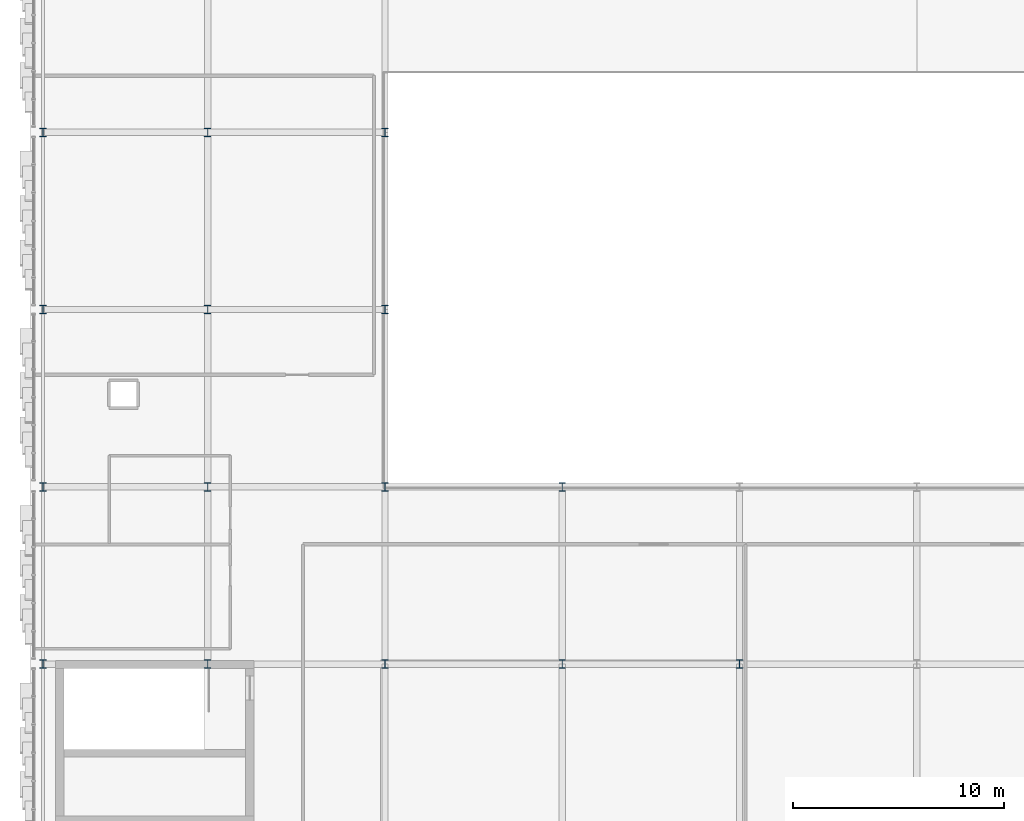
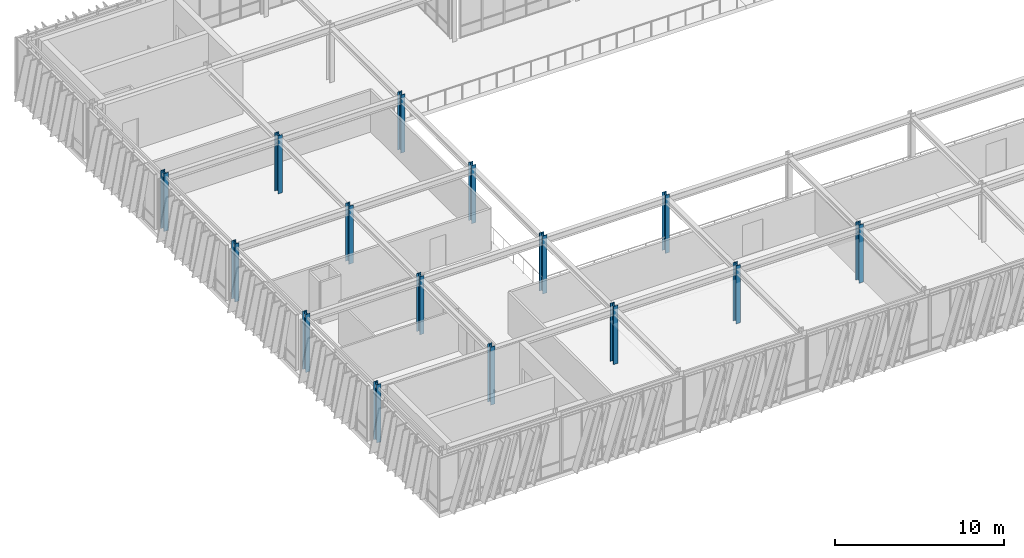
# One storey, part 7 of 123: 15 columns.
"""IFC4 building model written with IfcOpenShell, lengths in metres."""

from ifc_helpers import new_model, si_unit, direction, frame, origin, origin_2d, place, context, subcontext, project, spatial, i_section, extrude, material, material_profile, profile_set, type_object, element, save


model = new_model("IFC4")

# Units and contexts
model_context = context("Model", 3, precision=1e-05, world=origin(), true_north=direction((0.0, 1.0)))
body_context = subcontext(model_context, "Body", "Model", "MODEL_VIEW")
ifc_project = project(units=[si_unit("LENGTHUNIT", "METRE"), si_unit("AREAUNIT", "SQUARE_METRE"), si_unit("VOLUMEUNIT", "CUBIC_METRE"), si_unit("PLANEANGLEUNIT", "RADIAN"), si_unit("MASSUNIT", "GRAM", prefix="KILO")], contexts=[model_context])

# Site, building, storey
site_placement = place(None, origin())
site = spatial("IfcSite", under=ifc_project, at=site_placement, CompositionType="ELEMENT")
building_placement = place(site_placement, origin())
building = spatial("IfcBuilding", under=site, at=building_placement, Name="Zayran Congress Hotel", CompositionType="ELEMENT")
storey_placement = place(building_placement, frame((0.0, 0.0, 15.0)))
storey = spatial("IfcBuildingStorey", under=building, at=storey_placement, Name="L03", CompositionType="ELEMENT", Elevation=15.0)

# Columns
ifc_material = material(Name="Steel S355", Category="steel")
ifc_material_profile = material_profile(ifc_material, i_section(OverallWidth=0.300048828125, OverallDepth=0.39990234375, WebThickness=0.013427734375, FlangeThickness=0.02392578125, at=origin_2d()), Name="HEB 400")
ifc_profile_set = profile_set([ifc_material_profile], Name="Steel S355")
column_type = type_object("IfcColumnType", Name="TP-CL-07", PredefinedType="COLUMN", material=ifc_profile_set)
for number, where, z_axis, x_axis, name in (
    (1, (9.0, 76.0, 0.0), (0.0, 0.0, 1.0), (1.0, 0.0, 0.0), "COL-V1-L03-0455"),
    (2, (9.0, 84.39990234375, 0.0), (0.0, 0.0, 1.0), (1.0, 0.0, 0.0), "COL-V1-L03-0456"),
    (3, (9.0, 92.800048828125, 0.0), (0.0, 0.0, 1.0), (1.0, 0.0, 0.0), "COL-V1-L03-0457"),
    (4, (9.0, 101.199951171875, 0.0), (0.0, 0.0, 1.0), (1.0, 0.0, 0.0), "COL-V1-L03-0458"),
    (5, (16.800048828125, 76.0, 0.0), (0.0, 0.0, 1.0), (1.0, 0.0, 0.0), "COL-V1-L03-0462"),
    (6, (16.800048828125, 84.39990234375, 0.0), (0.0, 0.0, 1.0), (1.0, 0.0, 0.0), "COL-V1-L03-0463"),
    (7, (16.800048828125, 92.800048828125, 0.0), (0.0, 0.0, 1.0), (1.0, 0.0, 0.0), "COL-V1-L03-0464"),
    (8, (16.800048828125, 101.199951171875, 0.0), (0.0, 0.0, 1.0), (1.0, 0.0, 0.0), "COL-V1-L03-0465"),
    (9, (25.199951171875, 76.0, 0.0), (0.0, 0.0, 1.0), (1.0, 0.0, 0.0), "COL-V1-L03-0469"),
    (10, (25.199951171875, 84.39990234375, 0.0), (0.0, 0.0, 1.0), (1.0, 0.0, 0.0), "COL-V1-L03-0470"),
    (11, (25.199951171875, 92.800048828125, 0.0), (0.0, 0.0, 1.0), (1.0, 0.0, 0.0), "COL-V1-L03-0471"),
    (12, (25.199951171875, 101.199951171875, 0.0), (0.0, 0.0, 1.0), (1.0, 0.0, 0.0), "COL-V1-L03-0472"),
    (13, (33.60009765625, 76.0, 0.0), (0.0, 0.0, 1.0), (1.0, 0.0, 0.0), "COL-V1-L03-0476"),
    (14, (33.60009765625, 84.39990234375, 0.0), (0.0, 0.0, 1.0), (1.0, 0.0, 0.0), "COL-V1-L03-0477"),
    (15, (42.0, 76.0, 0.0), (0.0, 0.0, 1.0), (1.0, 0.0, 0.0), "COL-V1-L03-0481"),
):
    element("IfcColumn", number, at=place(storey_placement, frame(where, z_axis=z_axis, x_axis=x_axis)), inside=storey, type_object=column_type, Name=name, PredefinedType="COLUMN", context=body_context, shape_type="SweptSolid", body=[
        extrude(i_section(OverallWidth=0.300048828125, OverallDepth=0.39990234375, WebThickness=0.013427734375, FlangeThickness=0.02392578125, at=origin_2d()), origin(), (0.0, 0.0, 1.0), 4.199951171875),
    ])

save(model, "model.ifc")
